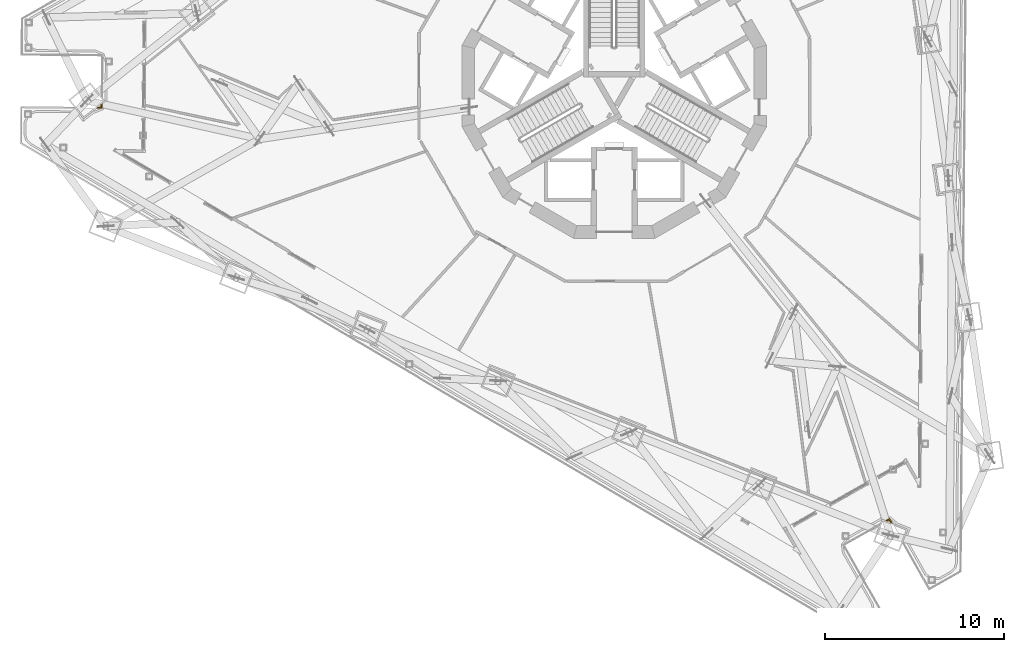
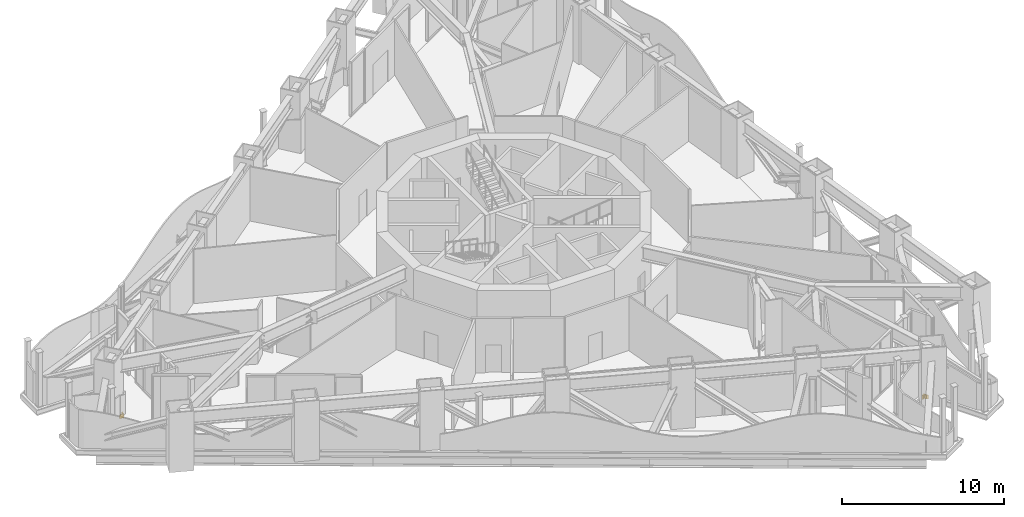
# One storey, part 26 of 27: 2 coverings.
"""IFC4 building model written with IfcOpenShell, lengths in metres."""

from ifc_helpers import new_model, si_unit, direction, frame, origin, place, context, subcontext, project, spatial, polyline, outline, extrude, material, layer, layer_set, type_object, element, save


model = new_model("IFC4")

# Units and contexts
model_context = context("Model", 3, precision=1e-05, world=origin(), true_north=direction((0.0, 1.0)))
body_context = subcontext(model_context, "Body", "Model", "MODEL_VIEW")
ifc_project = project(units=[si_unit("LENGTHUNIT", "METRE"), si_unit("AREAUNIT", "SQUARE_METRE"), si_unit("VOLUMEUNIT", "CUBIC_METRE"), si_unit("PLANEANGLEUNIT", "RADIAN"), si_unit("MASSUNIT", "GRAM", prefix="KILO")], contexts=[model_context])

# Site, building, storey
site_placement = place(None, origin())
site = spatial("IfcSite", under=ifc_project, at=site_placement, CompositionType="ELEMENT")
building_placement = place(site_placement, origin())
building = spatial("IfcBuilding", under=site, at=building_placement, Name="Trine Commons Tower", CompositionType="ELEMENT")
storey_placement = place(building_placement, frame((0.0, 0.0, 193.5)))
storey = spatial("IfcBuildingStorey", under=building, at=storey_placement, Name="L50", CompositionType="ELEMENT", Elevation=193.5)

# Coverings
ifc_material = material(Name="Limestone, honed", Category="masonry")
ifc_layer = layer(ifc_material, 0.074951171875)
ifc_layer_set = layer_set([ifc_layer], Name="Limestone, honed")
covering_type = type_object("IfcCoveringType", Name="Limestone spandrel panel 75", PredefinedType="CLADDING", material=ifc_layer_set)
covering_1_placement = place(storey_placement, frame((0.0, 0.0, -0.300048828125)))
element("IfcCovering", 1, at=covering_1_placement, inside=storey, type_object=covering_type, Name="Limestone spandrel panel 5-01", PredefinedType="CLADDING", context=body_context, shape_type="SweptSolid", body=[
    extrude(outline(polyline([(51.338623046875, 61.3251953125), (51.19091796875, 61.326416015625), (51.097900390625, 61.252197265625), (51.412841796875, 61.24951171875), (51.415283203125, 61.504638671875), (51.339599609375, 61.444580078125), (51.338623046875, 61.3251953125)])), origin(), (0.0, 0.0, 1.0), 0.300048828125),
])
covering_2_placement = place(storey_placement, frame((0.0, 0.0, -0.300048828125)))
element("IfcCovering", 2, at=covering_2_placement, inside=storey, type_object=covering_type, Name="Limestone spandrel panel 5-04", PredefinedType="CLADDING", context=body_context, shape_type="SweptSolid", body=[
    extrude(outline(polyline([(95.34814453125, 38.26611328125), (95.4208984375, 38.137451171875), (95.53173828125, 38.093994140625), (95.376708984375, 38.3681640625), (95.154296875, 38.242431640625), (95.244140625, 38.20703125), (95.34814453125, 38.26611328125)])), origin(), (0.0, 0.0, 1.0), 0.300048828125),
])

save(model, "model.ifc")
